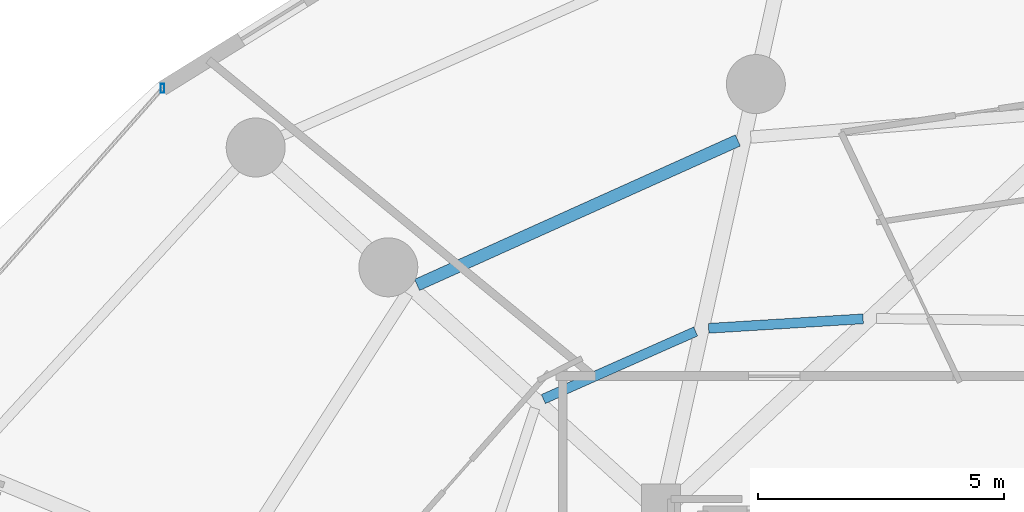
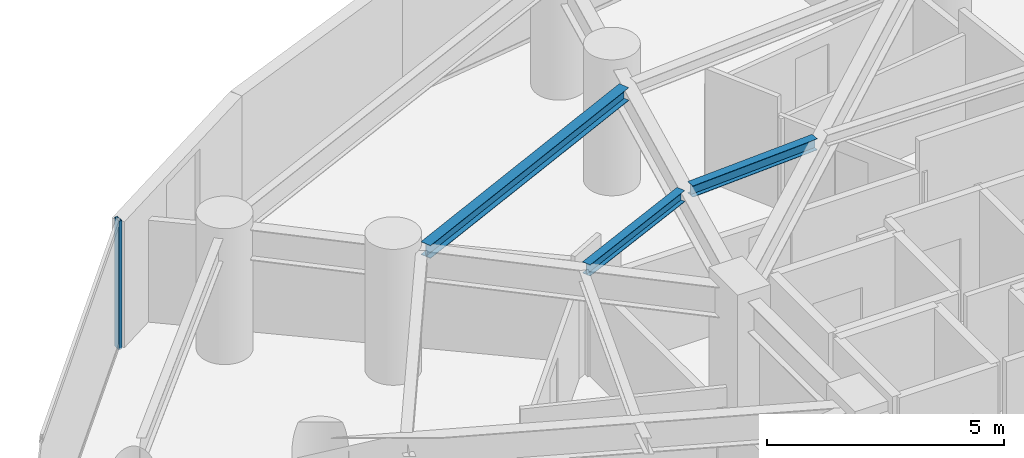
# One storey, part 19 of 33: 3 beams, 1 member, 1 element without a shape of its own.
"""IFC4 building model written with IfcOpenShell, lengths in metres."""

from ifc_helpers import new_model, si_unit, direction, frame, origin, origin_2d, place, context, subcontext, project, spatial, hollow_rectangle, i_section, extrude, material, material_profile, profile_set, type_object, element, aggregate, save


model = new_model("IFC4")

# Units and contexts
model_context = context("Model", 3, precision=1e-05, world=origin(), true_north=direction((0.0, 1.0)))
body_context = subcontext(model_context, "Body", "Model", "MODEL_VIEW")
ifc_project = project(units=[si_unit("LENGTHUNIT", "METRE"), si_unit("AREAUNIT", "SQUARE_METRE"), si_unit("VOLUMEUNIT", "CUBIC_METRE"), si_unit("PLANEANGLEUNIT", "RADIAN"), si_unit("MASSUNIT", "GRAM", prefix="KILO")], contexts=[model_context])

# Site, building, storey
site_placement = place(None, origin())
site = spatial("IfcSite", under=ifc_project, at=site_placement, CompositionType="ELEMENT")
building_placement = place(site_placement, origin())
building = spatial("IfcBuilding", under=site, at=building_placement, Name="Vorneva Point Tower", CompositionType="ELEMENT")
storey_placement = place(building_placement, frame((0.0, 0.0, 59.0)))
storey = spatial("IfcBuildingStorey", under=building, at=storey_placement, Name="L15", CompositionType="ELEMENT", Elevation=59.0)

# Beams
ifc_material_1 = material(Name="Steel S355", Category="steel")
ifc_material_profile_1 = material_profile(ifc_material_1, i_section(OverallWidth=0.199951171875, OverallDepth=0.291015625, WebThickness=0.008056640625, FlangeThickness=0.010986328125, at=origin_2d()), Name="30Sh1")
ifc_profile_set_1 = profile_set([ifc_material_profile_1], Name="Steel S355")
beam_type_1 = type_object("IfcBeamType", Name="BM-SEC-30Sh1", PredefinedType="BEAM", material=ifc_profile_set_1)
beam_1_placement = place(storey_placement, frame((31.36181640625, 37.1142578125, 3.094482421875), z_axis=(-0.998118371352, -0.061316529337, 0.0), x_axis=(0.061316529337, -0.998118371352, 0.0)))
element("IfcBeam", 1, at=beam_1_placement, inside=storey, type_object=beam_type_1, Name="L15 Secondary Floor Beam 2.05", PredefinedType="BEAM", context=body_context, shape_type="SweptSolid", body=[
    extrude(i_section(OverallWidth=0.199951171875, OverallDepth=0.291015625, WebThickness=0.008056640625, FlangeThickness=0.010986328125, at=origin_2d()), origin(), (0.0, 0.0, 1.0), 3.1494140625),
])
beam_2_placement = place(storey_placement, frame((27.954345703125, 36.856689453125, 3.094482421875), z_axis=(-0.914078683752, -0.405536878607, 0.0), x_axis=(0.405536878607, -0.914078683752, 0.0)))
element("IfcBeam", 2, at=beam_2_placement, inside=storey, type_object=beam_type_1, Name="L15 Secondary Floor Beam 2.06", PredefinedType="BEAM", context=body_context, shape_type="SweptSolid", body=[
    extrude(i_section(OverallWidth=0.199951171875, OverallDepth=0.291015625, WebThickness=0.008056640625, FlangeThickness=0.010986328125, at=origin_2d()), origin(), (0.0, 0.0, 1.0), 3.389404296875),
])
ifc_material_profile_2 = material_profile(ifc_material_1, i_section(OverallWidth=0.2490234375, OverallDepth=0.333984375, WebThickness=0.008056640625, FlangeThickness=0.010986328125, at=origin_2d()), Name="35Sh1")
ifc_profile_set_2 = profile_set([ifc_material_profile_2], Name="Steel S355")
beam_type_2 = type_object("IfcBeamType", Name="BM-SEC-35Sh1", PredefinedType="BEAM", material=ifc_profile_set_2)
beam_3_placement = place(storey_placement, frame((28.812744140625, 40.743896484375, 3.072998046875), z_axis=(-0.911797659955, -0.41063977803, 0.0), x_axis=(0.41063977803, -0.911797659955, 0.0)))
element("IfcBeam", 3, at=beam_3_placement, inside=storey, type_object=beam_type_2, Name="L15 Secondary Floor Beam 1.06", PredefinedType="BEAM", context=body_context, shape_type="SweptSolid", body=[
    extrude(i_section(OverallWidth=0.2490234375, OverallDepth=0.333984375, WebThickness=0.008056640625, FlangeThickness=0.010986328125, at=origin_2d()), origin(), (0.0, 0.0, 1.0), 7.158203125),
])

# Curtain wall, member
ifc_material_2 = material(Name="Pale anodised aluminium", Category="aluminium")
curtain_wall_type = type_object("IfcCurtainWallType", Name="CW-HTL-SYS", PredefinedType="NOTDEFINED", material=ifc_material_2)
curtain_wall_placement = place(storey_placement, origin())
curtain_wall = element("IfcCurtainWall", 4, at=curtain_wall_placement, inside=storey, type_object=curtain_wall_type, Name="L15 Unitised Curtain Wall CW-L15-R03", PredefinedType="NOTDEFINED")
ifc_material_profile_3 = material_profile(ifc_material_2, hollow_rectangle(XDim=0.074951171875, YDim=0.179931640625, WallThickness=0.00390625, at=origin_2d()), Name="AL-MUL 180x75x4")
ifc_profile_set_3 = profile_set([ifc_material_profile_3], Name="Pale anodised aluminium")
member_type = type_object("IfcMemberType", Name="CW-MUL-180", PredefinedType="MULLION", material=ifc_profile_set_3)
member_placement = place(storey_placement, frame((17.10498046875, 41.8037109375, -0.0400390625), z_axis=(0.0, 0.0, 1.0), x_axis=(1.0, 0.0, 0.0)))
member = element("IfcMember", 5, at=member_placement, type_object=member_type, Name="CW-L15-R03 Mullion 01", PredefinedType="MULLION", context=body_context, shape_type="SweptSolid", body=[
    extrude(hollow_rectangle(XDim=0.074951171875, YDim=0.179931640625, WallThickness=0.00390625, at=origin_2d()), origin(), (0.0, 0.0, 1.0), 3.31005859375),
])
aggregate(curtain_wall, [member])

save(model, "model.ifc")
